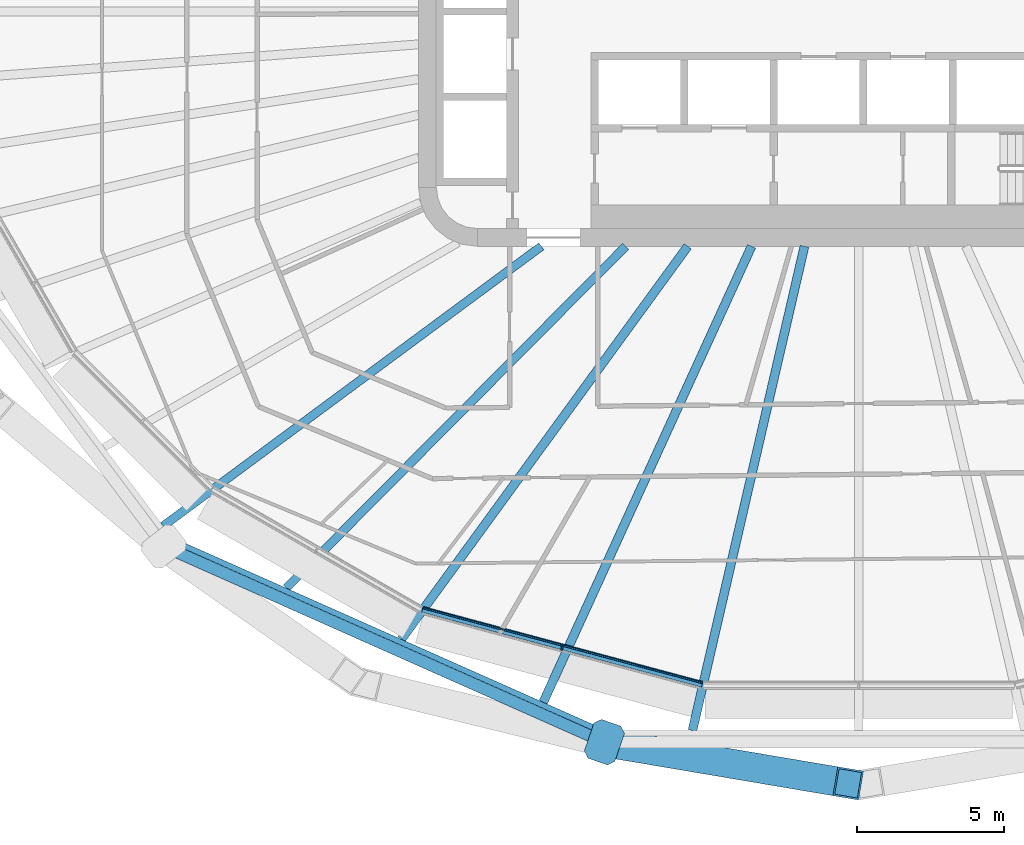
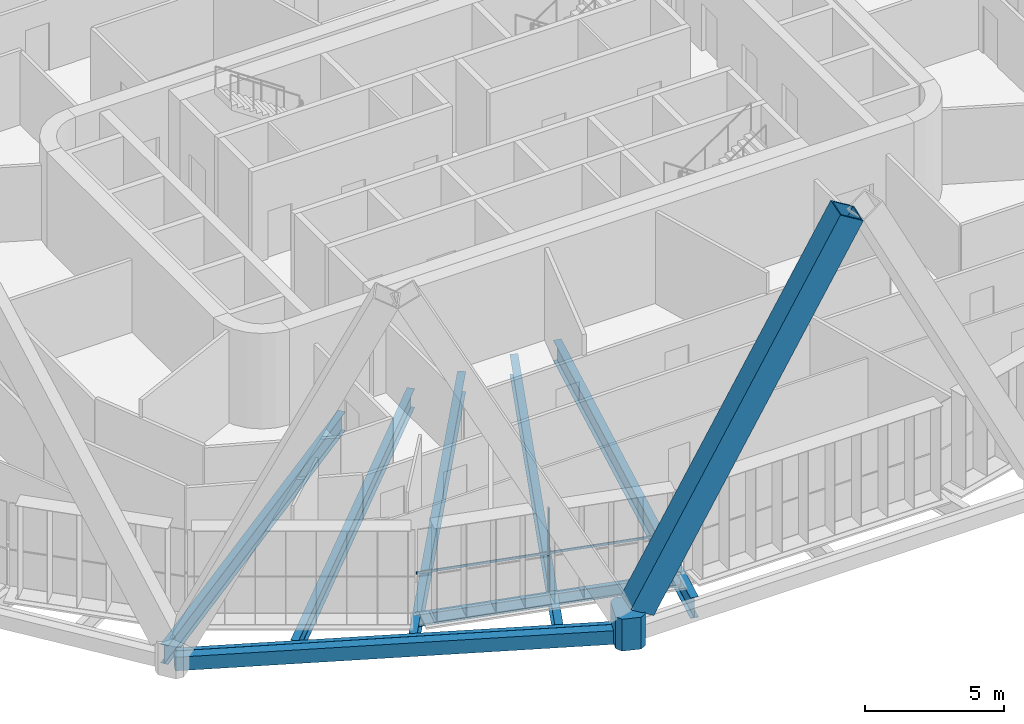
# One storey, part 2 of 25: 8 beams, 4 members, 1 element without a shape of its own.
"""IFC4 building model written with IfcOpenShell, lengths in metres."""

from ifc_helpers import new_model, si_unit, direction, frame, origin, origin_2d, place, context, subcontext, project, spatial, polyline, rectangle, hollow_rectangle, i_section, outline, extrude, material, layer, layer_set, material_profile, profile_set, type_object, element, aggregate, save


model = new_model("IFC4")

# Units and contexts
model_context = context("Model", 3, precision=1e-05, world=origin(), true_north=direction((0.0, 1.0)))
body_context = subcontext(model_context, "Body", "Model", "MODEL_VIEW")
ifc_project = project(units=[si_unit("LENGTHUNIT", "METRE"), si_unit("AREAUNIT", "SQUARE_METRE"), si_unit("VOLUMEUNIT", "CUBIC_METRE"), si_unit("PLANEANGLEUNIT", "RADIAN"), si_unit("MASSUNIT", "GRAM", prefix="KILO")], contexts=[model_context])

# Site, building, storey
site_placement = place(None, origin())
site = spatial("IfcSite", under=ifc_project, at=site_placement, CompositionType="ELEMENT")
building_placement = place(site_placement, origin())
building = spatial("IfcBuilding", under=site, at=building_placement, Name="Sahrelin Media Tower", CompositionType="ELEMENT")
storey_placement = place(building_placement, frame((0.0, 0.0, 63.0)))
storey = spatial("IfcBuildingStorey", under=building, at=storey_placement, Name="L10", CompositionType="ELEMENT", Elevation=63.0)

# Members
ifc_material_1 = material(Name="Steel S460", Category="steel")
ifc_material_profile_1 = material_profile(ifc_material_1, hollow_rectangle(XDim=1.0, YDim=1.0, WallThickness=0.06005859375, at=origin_2d()), Name="Diagrid diagonal DG1")
ifc_profile_set_1 = profile_set([ifc_material_profile_1], Name="Steel S460")
member_type_1 = type_object("IfcMemberType", Name="Diagrid diagonal DG1", PredefinedType="BRACE", material=ifc_profile_set_1)
member_1_placement = place(storey_placement, frame((-8.306640625, -24.960205078125, 0.699951171875), z_axis=(0.457140164592, -0.077255212944, 0.886033014052), x_axis=(0.166633999123, 0.986018818449, 0.0)))
element("IfcMember", 1, at=member_1_placement, inside=storey, type_object=member_type_1, Name="Diagrid diagonal D01-17", PredefinedType="BRACE", context=body_context, shape_type="SweptSolid", body=[
    extrude(hollow_rectangle(XDim=1.0, YDim=1.0, WallThickness=0.06005859375, at=origin_2d()), origin(), (0.0, 0.0, 1.0), 17.381103515625),
])
ifc_material_profile_2 = material_profile(ifc_material_1, outline(polyline([(0.5, -0.550048828125), (0.699951171875, -0.35009765625), (0.699951171875, 0.35009765625), (0.5, 0.550048828125), (-0.5, 0.550048828125), (-0.699951171875, 0.35009765625), (-0.699951171875, -0.35009765625), (-0.5, -0.550048828125), (0.5, -0.550048828125)])), Name="Diagrid node block 1400")
ifc_profile_set_2 = profile_set([ifc_material_profile_2], Name="Steel S460")
member_type_2 = type_object("IfcMemberType", Name="Diagrid node block 1400", PredefinedType="USERDEFINED", material=ifc_profile_set_2)
member_2_placement = place(storey_placement, frame((-8.66796875, -24.899169921875, -0.699951171875), z_axis=(0.0, 0.0, 1.0), x_axis=(-0.328769398381, -0.944410230085, 0.0)))
element("IfcMember", 2, at=member_2_placement, inside=storey, type_object=member_type_2, Name="Diagrid node N01-08", ObjectType="NODE", PredefinedType="USERDEFINED", context=body_context, shape_type="SweptSolid", body=[
    extrude(outline(polyline([(0.5, -0.550048828125), (0.699951171875, -0.35009765625), (0.699951171875, 0.35009765625), (0.5, 0.550048828125), (-0.5, 0.550048828125), (-0.699951171875, 0.35009765625), (-0.699951171875, -0.35009765625), (-0.5, -0.550048828125), (0.5, -0.550048828125)])), origin(), (0.0, 0.0, 1.0), 1.39990234375),
])

# Beams
ifc_material_profile_3 = material_profile(ifc_material_1, hollow_rectangle(XDim=0.39990234375, YDim=0.60009765625, WallThickness=0.030029296875, at=origin_2d()), Name="Diagrid ring beam RB1")
ifc_profile_set_3 = profile_set([ifc_material_profile_3], Name="Steel S460")
beam_type_1 = type_object("IfcBeamType", Name="Diagrid ring beam RB1", PredefinedType="BEAM", material=ifc_profile_set_3)
beam_1_placement = place(storey_placement, frame((-23.68115234375, -18.227294921875, -0.449951171875), z_axis=(0.913826255234, -0.406105374558, 0.0), x_axis=(0.406105374558, 0.913826255234, 0.0)))
element("IfcBeam", 3, at=beam_1_placement, inside=storey, type_object=beam_type_1, Name="Diagrid ring beam RB01-07", PredefinedType="BEAM", context=body_context, shape_type="SweptSolid", body=[
    extrude(hollow_rectangle(XDim=0.39990234375, YDim=0.60009765625, WallThickness=0.030029296875, at=origin_2d()), origin(), (0.0, 0.0, 1.0), 16.428955078125),
])
ifc_material_2 = material(Name="Steel S355", Category="steel")
ifc_material_profile_4 = material_profile(ifc_material_2, i_section(OverallWidth=0.208740234375, OverallDepth=0.5283203125, WebThickness=0.009521484375, FlangeThickness=0.01318359375, FilletRadius=0.0126953125, at=origin_2d()), Name="UB 533x210x82")
ifc_profile_set_4 = profile_set([ifc_material_profile_4], Name="Steel S355")
beam_type_2 = type_object("IfcBeamType", Name="Edge beam EB6", PredefinedType="BEAM", material=ifc_profile_set_4)
beam_2_placement = place(storey_placement, frame((-5.332763671875, -22.923583984375, -0.4140625), z_axis=(-0.965924759849, 0.258823025079, 0.0), x_axis=(-0.258823025079, -0.965924759849, 0.0)))
element("IfcBeam", 4, at=beam_2_placement, inside=storey, type_object=beam_type_2, Name="Edge beam L10-08", PredefinedType="BEAM", context=body_context, shape_type="SweptSolid", body=[
    extrude(i_section(OverallWidth=0.208740234375, OverallDepth=0.5283203125, WebThickness=0.009521484375, FlangeThickness=0.01318359375, FilletRadius=0.0126953125, at=origin_2d()), origin(), (0.0, 0.0, 1.0), 9.872314453125),
])

# Curtain wall, member
ifc_material_3 = material(Name="Champagne anodised aluminium 6063-T6", Category="aluminium")
ifc_layer = layer(ifc_material_3, 0.14990234375)
ifc_layer_set = layer_set([ifc_layer], Name="Tower ribbon curtain wall")
curtain_wall_type = type_object("IfcCurtainWallType", Name="Tower ribbon curtain wall", PredefinedType="NOTDEFINED", material=ifc_layer_set)
curtain_wall_placement = place(storey_placement, frame((-10.139404296875, -21.791015625, 0.0), z_axis=(0.0, 0.0, 1.0), x_axis=(1.0, 0.0, 0.0)))
curtain_wall = element("IfcCurtainWall", 5, at=curtain_wall_placement, inside=storey, type_object=curtain_wall_type, Name="L10:CW:L10-17", PredefinedType="NOTDEFINED")
ifc_material_profile_5 = material_profile(ifc_material_3, rectangle(XDim=0.06005859375, YDim=0.14990234375, at=origin_2d()), Name="Mullion 60x150")
ifc_profile_set_5 = profile_set([ifc_material_profile_5], Name="Champagne anodised aluminium 6063-T6")
member_type_3 = type_object("IfcMemberType", Name="Mullion 60x150 CW1", PredefinedType="MULLION", material=ifc_profile_set_5)
member_3_placement = place(storey_placement, frame((-10.114990234375, -21.69921875, 0.0), z_axis=(0.0, 0.0, 1.0), x_axis=(0.965925374563, -0.258820730961, 0.0)))
member_3 = element("IfcMember", 6, at=member_3_placement, type_object=member_type_3, Name="L10:CWM:L10-17", PredefinedType="MULLION", context=body_context, shape_type="SweptSolid", body=[
    extrude(rectangle(XDim=0.06005859375, YDim=0.14990234375, at=origin_2d()), origin(), (0.0, 0.0, 1.0), 3.648681640625),
])

# Beams
ifc_material_profile_6 = material_profile(ifc_material_2, i_section(OverallWidth=0.291748046875, OverallDepth=0.8349609375, WebThickness=0.013916015625, FlangeThickness=0.018798828125, FilletRadius=0.017822265625, at=origin_2d()), Name="UB 838x292x176")
ifc_profile_set_6 = profile_set([ifc_material_profile_6], Name="Steel S355")
beam_type_3 = type_object("IfcBeamType", Name="Radial primary beam PB10", PredefinedType="BEAM", material=ifc_profile_set_6)
beam_3_placement = place(storey_placement, frame((-10.8154296875, -8.0, -0.5673828125), z_axis=(-0.803971039313, -0.59466845212, 0.0), x_axis=(0.59466845212, -0.803971039313, 0.0)))
element("IfcBeam", 7, at=beam_3_placement, inside=storey, type_object=beam_type_3, Name="Radial beam L10-16", PredefinedType="BEAM", context=body_context, shape_type="SweptSolid", body=[
    extrude(i_section(OverallWidth=0.291748046875, OverallDepth=0.8349609375, WebThickness=0.013916015625, FlangeThickness=0.018798828125, FilletRadius=0.017822265625, at=origin_2d()), origin(), (0.0, 0.0, 1.0), 16.033935546875),
])
ifc_material_profile_7 = material_profile(ifc_material_2, i_section(OverallWidth=0.30322265625, OverallDepth=0.903076171875, WebThickness=0.01513671875, FlangeThickness=0.020263671875, FilletRadius=0.01904296875, at=origin_2d()), Name="UB 914x305x201")
ifc_profile_set_7 = profile_set([ifc_material_profile_7], Name="Steel S355")
beam_type_4 = type_object("IfcBeamType", Name="Radial primary beam PB11", PredefinedType="BEAM", material=ifc_profile_set_7)
beam_4_placement = place(storey_placement, frame((-5.8291015625, -8.0, -0.6015625), z_axis=(-0.588900368417, -0.808205639722, 0.0), x_axis=(0.808205639722, -0.588900368417, 0.0)))
element("IfcBeam", 8, at=beam_4_placement, inside=storey, type_object=beam_type_4, Name="Radial beam L10-17", PredefinedType="BEAM", context=body_context, shape_type="SweptSolid", body=[
    extrude(i_section(OverallWidth=0.30322265625, OverallDepth=0.903076171875, WebThickness=0.01513671875, FlangeThickness=0.020263671875, FilletRadius=0.01904296875, at=origin_2d()), origin(), (0.0, 0.0, 1.0), 16.569580078125),
])
beam_5_placement = place(storey_placement, frame((-1.8505859375, -8.0, -0.6015625), z_axis=(-0.225368935068, -0.974273495024, 0.0), x_axis=(0.974273495024, -0.225368935068, 0.0)))
element("IfcBeam", 9, at=beam_5_placement, inside=storey, type_object=beam_type_4, Name="Radial beam L10-18", PredefinedType="BEAM", context=body_context, shape_type="SweptSolid", body=[
    extrude(i_section(OverallWidth=0.30322265625, OverallDepth=0.903076171875, WebThickness=0.01513671875, FlangeThickness=0.020263671875, FilletRadius=0.01904296875, at=origin_2d()), origin(), (0.0, 0.0, 1.0), 16.939453125),
])
ifc_material_profile_8 = material_profile(ifc_material_2, i_section(OverallWidth=0.291748046875, OverallDepth=0.8349609375, WebThickness=0.013916015625, FlangeThickness=0.018798828125, FilletRadius=0.017822265625, at=origin_2d()), Name="UB 838x292x176")
ifc_profile_set_8 = profile_set([ifc_material_profile_8], Name="Steel S355")
beam_type_5 = type_object("IfcBeamType", Name="Radial secondary beam SB10", PredefinedType="BEAM", material=ifc_profile_set_8)
beam_6_placement = place(storey_placement, frame((-7.94287109375, -8.0, -0.5673828125), z_axis=(-0.704566431666, -0.709638036867, 0.0), x_axis=(0.709638036867, -0.704566431666, 0.0)))
element("IfcBeam", 10, at=beam_6_placement, inside=storey, type_object=beam_type_5, Name="Secondary beam L10-16", PredefinedType="BEAM", context=body_context, shape_type="SweptSolid", body=[
    extrude(i_section(OverallWidth=0.291748046875, OverallDepth=0.8349609375, WebThickness=0.013916015625, FlangeThickness=0.018798828125, FilletRadius=0.017822265625, at=origin_2d()), origin(), (0.0, 0.0, 1.0), 16.415283203125),
])
ifc_material_profile_9 = material_profile(ifc_material_2, i_section(OverallWidth=0.30322265625, OverallDepth=0.903076171875, WebThickness=0.01513671875, FlangeThickness=0.020263671875, FilletRadius=0.01904296875, at=origin_2d()), Name="UB 914x305x201")
ifc_profile_set_9 = profile_set([ifc_material_profile_9], Name="Steel S355")
beam_type_6 = type_object("IfcBeamType", Name="Radial secondary beam SB11", PredefinedType="BEAM", material=ifc_profile_set_9)
beam_7_placement = place(storey_placement, frame((-3.654541015625, -8.0, -0.6015625), z_axis=(-0.415516252261, -0.909585754125, 0.0), x_axis=(0.909585754125, -0.415516252261, 0.0)))
element("IfcBeam", 11, at=beam_7_placement, inside=storey, type_object=beam_type_6, Name="Secondary beam L10-17", PredefinedType="BEAM", context=body_context, shape_type="SweptSolid", body=[
    extrude(i_section(OverallWidth=0.30322265625, OverallDepth=0.903076171875, WebThickness=0.01513671875, FlangeThickness=0.020263671875, FilletRadius=0.01904296875, at=origin_2d()), origin(), (0.0, 0.0, 1.0), 17.08447265625),
])
ifc_material_profile_10 = material_profile(ifc_material_2, i_section(OverallWidth=0.1904296875, OverallDepth=0.45703125, WebThickness=0.009033203125, FlangeThickness=0.014404296875, FilletRadius=0.01025390625, at=origin_2d()), Name="UB 457x191x74")
ifc_profile_set_10 = profile_set([ifc_material_profile_10], Name="Steel S355")
beam_type_7 = type_object("IfcBeamType", Name="Tie chord TC5", PredefinedType="BEAM", material=ifc_profile_set_10)
beam_8_placement = place(storey_placement, frame((-8.604248046875, -24.598876953125, -0.37841796875), z_axis=(-0.913831946154, 0.406092568497, 0.0), x_axis=(-0.406092568497, -0.913831946154, 0.0)))
element("IfcBeam", 12, at=beam_8_placement, inside=storey, type_object=beam_type_7, Name="Tie chord L10-05", PredefinedType="BEAM", context=body_context, shape_type="SweptSolid", body=[
    extrude(i_section(OverallWidth=0.1904296875, OverallDepth=0.45703125, WebThickness=0.009033203125, FlangeThickness=0.014404296875, FilletRadius=0.01025390625, at=origin_2d()), origin(), (0.0, 0.0, 1.0), 16.286865234375),
])

# Member
ifc_material_profile_11 = material_profile(ifc_material_3, rectangle(XDim=0.050048828125, YDim=0.10009765625, at=origin_2d()), Name="Transom 50x100")
ifc_profile_set_11 = profile_set([ifc_material_profile_11], Name="Champagne anodised aluminium 6063-T6")
member_type_4 = type_object("IfcMemberType", Name="Transom 50x100 CW1", PredefinedType="USERDEFINED", material=ifc_profile_set_11)
member_4_placement = place(storey_placement, frame((-14.841796875, -20.3291015625, 1.60009765625), z_axis=(0.965923356593, -0.258828261958, 0.0), x_axis=(0.258828261958, 0.965923356593, 0.0)))
member_4 = element("IfcMember", 13, at=member_4_placement, type_object=member_type_4, Name="L10:CWT:L10-17", ObjectType="TRANSOM", PredefinedType="USERDEFINED", context=body_context, shape_type="SweptSolid", body=[
    extrude(rectangle(XDim=0.050048828125, YDim=0.10009765625, at=origin_2d()), origin(), (0.0, 0.0, 1.0), 9.841064453125),
])

aggregate(curtain_wall, [member_3, member_4])

save(model, "model.ifc")
